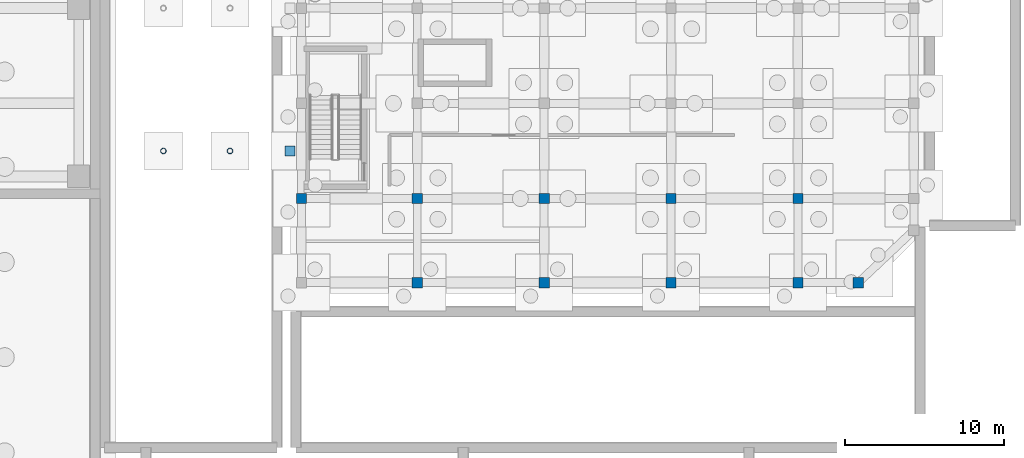
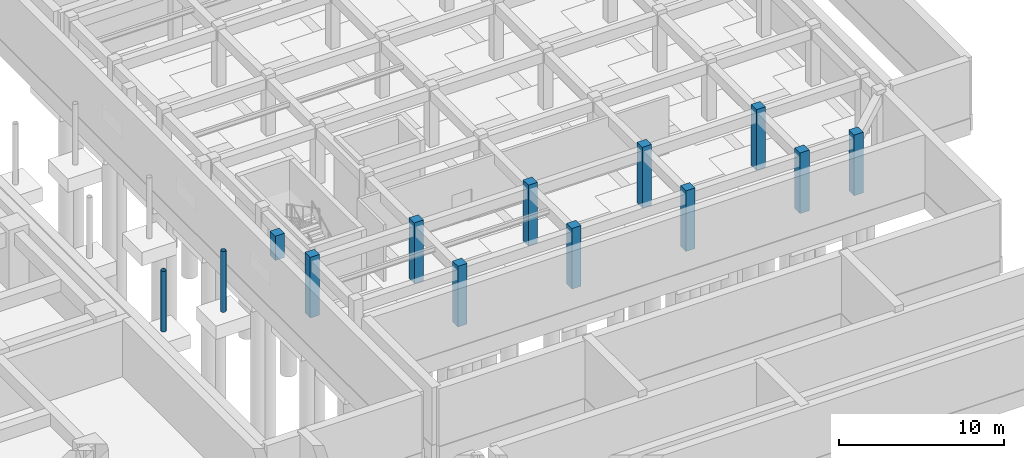
# One storey, part 4 of 14: 13 columns.
"""IFC4 building model written with IfcOpenShell, lengths in metres."""

from ifc_helpers import new_model, si_unit, direction, frame, origin, origin_2d, place, context, subcontext, project, spatial, rectangle, hollow_circle, extrude, source, transform, mapped, material, material_profile, profile_set, type_object, element, save


model = new_model("IFC4")

# Units and contexts
model_context = context("Model", 3, precision=1e-05, world=origin(), true_north=direction((0.0, 1.0)))
body_context = subcontext(model_context, "Body", "Model", "MODEL_VIEW")
ifc_project = project(units=[si_unit("LENGTHUNIT", "METRE"), si_unit("AREAUNIT", "SQUARE_METRE"), si_unit("VOLUMEUNIT", "CUBIC_METRE"), si_unit("PLANEANGLEUNIT", "RADIAN"), si_unit("MASSUNIT", "GRAM", prefix="KILO")], contexts=[model_context])

# Site, building, storey
site_placement = place(None, origin())
site = spatial("IfcSite", under=ifc_project, at=site_placement, CompositionType="ELEMENT")
building_placement = place(site_placement, origin())
building = spatial("IfcBuilding", under=site, at=building_placement, Name="Khoralis Quay Care Tower", CompositionType="ELEMENT")
storey_placement = place(building_placement, frame((0.0, 0.0, -4.5)))
storey = spatial("IfcBuildingStorey", under=building, at=storey_placement, Name="B1", CompositionType="ELEMENT", Elevation=-4.5)

# Columns
ifc_material_1 = material(Name="Steel S355", Category="steel")
ifc_material_profile_1 = material_profile(ifc_material_1, hollow_circle(Radius=0.177734375, WallThickness=0.01611328125, at=origin_2d()), Name="Steel S355")
ifc_profile_set_1 = profile_set([ifc_material_profile_1], Name="Steel S355")
column_type_1 = type_object("IfcColumnType", Name="COL-CN-CHS355", PredefinedType="COLUMN", material=ifc_profile_set_1)
shared_shape_1 = source(origin(), body_context, "Body", "SweptSolid", [
    extrude(hollow_circle(Radius=0.177734375, WallThickness=0.01611328125, at=origin_2d()), origin(), (0.0, 0.0, 1.0), 4.5),
])
for number, where, z_axis, x_axis, name in (
    (1, (60.0, 15.0, 0.0), (0.0, 0.0, 1.0), (1.0, 0.0, 0.0), "COL-B1-CAN-01"),
    (2, (64.199951171875, 15.0, 0.0), (0.0, 0.0, 1.0), (1.0, 0.0, 0.0), "COL-B1-CAN-04"),
):
    element("IfcColumn", number, at=place(storey_placement, frame(where, z_axis=z_axis, x_axis=x_axis)), inside=storey, type_object=column_type_1, Name=name, PredefinedType="COLUMN", context=body_context, shape_type="MappedRepresentation", body=[
        mapped(shared_shape_1, transform((0.0, 0.0, 0.0), scale=1.0)),
    ])
ifc_material_2 = material(Name="Concrete C40/50", Category="concrete")
ifc_material_profile_2 = material_profile(ifc_material_2, rectangle(XDim=0.64990234375, YDim=0.64990234375, at=origin_2d()), Name="Concrete C40/50")
ifc_profile_set_2 = profile_set([ifc_material_profile_2], Name="Concrete C40/50")
column_type_2 = type_object("IfcColumnType", Name="COL-SC650", PredefinedType="COLUMN", material=ifc_profile_set_2)
shared_shape_2 = source(origin(), body_context, "Body", "SweptSolid", [
    extrude(rectangle(XDim=0.64990234375, YDim=0.64990234375, at=origin_2d()), origin(), (0.0, 0.0, 1.0), 1.800048828125),
])
column_placement = place(storey_placement, frame((67.97998046875, 15.0, 2.699951171875), z_axis=(0.0, 0.0, 1.0), x_axis=(1.0, 0.0, 0.0)))
element("IfcColumn", 3, at=column_placement, inside=storey, type_object=column_type_2, Name="Movement Joint Substructure Bearing Pier 1", PredefinedType="COLUMN", context=body_context, shape_type="MappedRepresentation", body=[
    mapped(shared_shape_2, transform((0.0, 0.0, 0.0), scale=1.0)),
])
shared_shape_3 = source(origin(), body_context, "Body", "SweptSolid", [
    extrude(rectangle(XDim=0.64990234375, YDim=0.64990234375, at=origin_2d()), origin(), (0.0, 0.0, 1.0), 4.5),
])
for number, where, z_axis, x_axis, name in (
    (4, (68.699951171875, 12.0, 0.0), (0.0, 0.0, 1.0), (1.0, 0.0, 0.0), "COL-SCH-B1-02"),
    (5, (76.0, 6.699951171875, 0.0), (0.0, 0.0, 1.0), (1.0, 0.0, 0.0), "COL-SCH-B1-08"),
    (6, (76.0, 12.0, 0.0), (0.0, 0.0, 1.0), (1.0, 0.0, 0.0), "COL-SCH-B1-09"),
    (7, (84.0, 6.699951171875, 0.0), (0.0, 0.0, 1.0), (1.0, 0.0, 0.0), "COL-SCH-B1-15"),
    (8, (84.0, 12.0, 0.0), (0.0, 0.0, 1.0), (1.0, 0.0, 0.0), "COL-SCH-B1-16"),
    (9, (92.0, 6.699951171875, 0.0), (0.0, 0.0, 1.0), (1.0, 0.0, 0.0), "COL-SCH-B1-22"),
    (10, (92.0, 12.0, 0.0), (0.0, 0.0, 1.0), (1.0, 0.0, 0.0), "COL-SCH-B1-23"),
    (11, (100.0, 6.699951171875, 0.0), (0.0, 0.0, 1.0), (1.0, 0.0, 0.0), "COL-SCH-B1-29"),
    (12, (100.0, 12.0, 0.0), (0.0, 0.0, 1.0), (1.0, 0.0, 0.0), "COL-SCH-B1-30"),
    (13, (103.800048828125, 6.699951171875, 0.0), (0.0, 0.0, 1.0), (1.0, 0.0, 0.0), "COL-SCH-B1-42"),
):
    element("IfcColumn", number, at=place(storey_placement, frame(where, z_axis=z_axis, x_axis=x_axis)), inside=storey, type_object=column_type_2, Name=name, PredefinedType="COLUMN", context=body_context, shape_type="MappedRepresentation", body=[
        mapped(shared_shape_3, transform((0.0, 0.0, 0.0), scale=1.0)),
    ])

save(model, "model.ifc")
